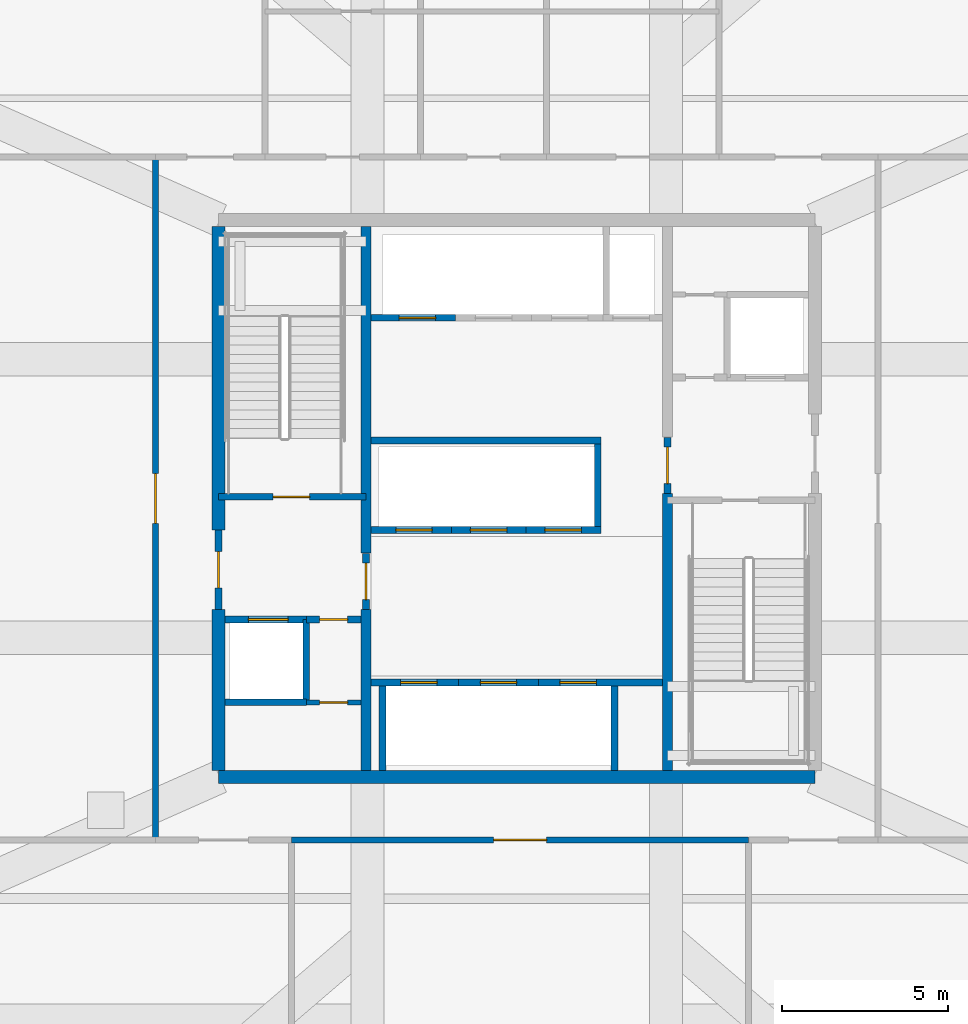
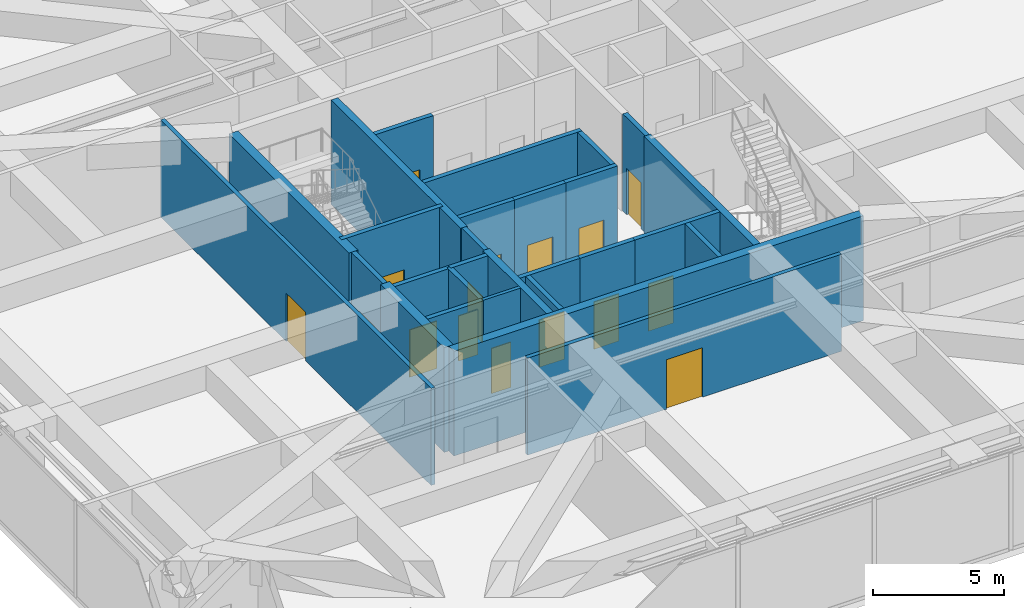
# One storey, part 28 of 35: 28 walls, 16 doors, 16 openings.
"""IFC4 building model written with IfcOpenShell, lengths in metres."""

import ifcopenshell
import ifcopenshell.guid

model = None  # the IFC model being written
_history = None  # IfcOwnerHistory: only IFC2X3 demands one
_inside = {}  # id of a spatial element -> (the spatial element, [elements in it])
_under = {}  # id of a project, library or spatial element -> (it, [spatial elements below it])
_declared = {}  # id of a project -> (the project, [libraries it declares])
_typed = {}  # id of a type object -> (the type object, [elements of that type])
_made_of = {}  # id of a material, layer set ... -> (it, [elements and type objects made of it])


def new_model(schema):
    """Start an empty IFC model of exactly this schema.

    Asked for "IFC4X3", IfcOpenShell would pick the latest addendum, in which some entities
    have other attributes; the version numbers below select the first issue.
    IFC2X3 requires an IfcOwnerHistory on every rooted entity: one is made here for all.
    """
    global model, _history
    if schema == "IFC4X3":
        model = ifcopenshell.file(schema_version=(4, 3, 0, 0))
    else:
        model = ifcopenshell.file(schema=schema)
    _inside.clear()
    _under.clear()
    _declared.clear()
    _typed.clear()
    _made_of.clear()
    _history = None
    if model.schema == "IFC2X3":
        org = make("IfcOrganization", Name="unknown")
        user = make(
            "IfcPersonAndOrganization",
            ThePerson=make("IfcPerson", FamilyName="unknown"),
            TheOrganization=org,
        )
        app = make(
            "IfcApplication",
            ApplicationDeveloper=org,
            Version="unknown",
            ApplicationFullName="unknown",
            ApplicationIdentifier="unknown",
        )
        _history = make(
            "IfcOwnerHistory",
            OwningUser=user,
            OwningApplication=app,
            ChangeAction="ADDED",
            CreationDate=0,
        )
    return model


def make(cls, **values):
    """One entity of the class cls with the attributes given. An attribute that is None is left unset."""
    return model.create_entity(
        cls, **{name: value for name, value in values.items() if value is not None}
    )


def rooted(cls, **values):
    """An entity with a GlobalId (a new one), such as an element, a storey or a relation."""
    return make(cls, GlobalId=ifcopenshell.guid.new(), OwnerHistory=_history, **values)


def si_unit(unit_type, name, prefix=None):
    """IfcSIUnit, for example si_unit("LENGTHUNIT", "METRE", prefix="MILLI")."""
    return make("IfcSIUnit", UnitType=unit_type, Prefix=prefix, Name=name)


def assignment(units):
    """IfcUnitAssignment: the units of a project."""
    return None if units is None else make("IfcUnitAssignment", Units=units)


def point(xyz):
    """IfcCartesianPoint."""
    return None if xyz is None else make("IfcCartesianPoint", Coordinates=xyz)


def direction(xyz):
    """IfcDirection."""
    return None if xyz is None else make("IfcDirection", DirectionRatios=xyz)


def frame(location, z_axis=None, x_axis=None):
    """IfcAxis2Placement3D, a coordinate frame: its origin and axes. An axis left out is left unset."""
    return make(
        "IfcAxis2Placement3D",
        Location=point(location),
        Axis=direction(z_axis),
        RefDirection=direction(x_axis),
    )


def frame_2d(location, x_axis=None):
    """IfcAxis2Placement2D, a coordinate frame in the plane: its origin and x axis."""
    return make(
        "IfcAxis2Placement2D", Location=point(location), RefDirection=direction(x_axis)
    )


def origin():
    """The frame at (0, 0, 0) with its axes left unset."""
    return frame((0.0, 0.0, 0.0))


def place(relative_to, where):
    """IfcLocalPlacement: puts the frame where relative to a parent placement (None: the world)."""
    return make(
        "IfcLocalPlacement", PlacementRelTo=relative_to, RelativePlacement=where
    )


def context(
    kind, dimensions, precision=None, world=None, true_north=None, identifier=None
):
    """IfcGeometricRepresentationContext, for example the 3D "Model" context."""
    return make(
        "IfcGeometricRepresentationContext",
        ContextIdentifier=identifier,
        ContextType=kind,
        CoordinateSpaceDimension=dimensions,
        Precision=precision,
        WorldCoordinateSystem=world,
        TrueNorth=true_north,
    )


def subcontext(parent, identifier, kind, view, scale=None):
    """IfcGeometricRepresentationSubContext, for example "Body" below "Model"."""
    return make(
        "IfcGeometricRepresentationSubContext",
        ContextIdentifier=identifier,
        ContextType=kind,
        ParentContext=parent,
        TargetScale=scale,
        TargetView=view,
    )


def project(units=None, contexts=None):
    """IfcProject with its units and contexts."""
    return rooted(
        "IfcProject",
        Name="project",
        RepresentationContexts=contexts,
        UnitsInContext=assignment(units),
    )


def spatial(cls, under=None, at=None, **own):
    """A site, building, storey or space (cls), placed at a placement, below another one or the project."""
    s = rooted(cls, ObjectPlacement=at, **own)
    if under is not None:
        _under.setdefault(under.id(), (under, []))[1].append(s)
    return s


def profile(cls, at=None, kind="AREA", **sizes):
    """A parametric profile (cls). Its sizes go by their IFC names, for example OverallWidth=200.0."""
    return make(cls, ProfileType=kind, Position=at, **sizes)


def rectangle(**sizes):
    """IfcRectangleProfileDef."""
    return profile("IfcRectangleProfileDef", **sizes)


def extrude(swept, where, along, depth):
    """IfcExtrudedAreaSolid: the profile swept, set in the frame where, extruded along a direction by depth."""
    return make(
        "IfcExtrudedAreaSolid",
        SweptArea=swept,
        Position=where,
        ExtrudedDirection=direction(along),
        Depth=depth,
    )


def shape(context_of_items, identifier, shape_type, items):
    """IfcShapeRepresentation: the items that make up one representation, for example the "Body"."""
    return make(
        "IfcShapeRepresentation",
        ContextOfItems=context_of_items,
        RepresentationIdentifier=identifier,
        RepresentationType=shape_type,
        Items=items,
    )


def source(mapping_origin, context_of_items, identifier, shape_type, items):
    """IfcRepresentationMap: a shape defined once, which mapped items show again and again."""
    return make(
        "IfcRepresentationMap",
        MappingOrigin=mapping_origin,
        MappedRepresentation=shape(context_of_items, identifier, shape_type, items),
    )


def transform(
    local_origin,
    x_axis=None,
    y_axis=None,
    z_axis=None,
    scale=None,
    scale2=None,
    scale3=None,
    uniform=True,
):
    """IfcCartesianTransformationOperator3D, or its non-uniform kind. x_axis, y_axis, z_axis: its Axis1, 2, 3."""
    if uniform:
        return make(
            "IfcCartesianTransformationOperator3D",
            Axis1=direction(x_axis),
            Axis2=direction(y_axis),
            LocalOrigin=point(local_origin),
            Scale=scale,
            Axis3=direction(z_axis),
        )
    return make(
        "IfcCartesianTransformationOperator3DnonUniform",
        Axis1=direction(x_axis),
        Axis2=direction(y_axis),
        LocalOrigin=point(local_origin),
        Scale=scale,
        Axis3=direction(z_axis),
        Scale2=scale2,
        Scale3=scale3,
    )


def mapped(mapping_source, mapping_target):
    """IfcMappedItem: shows the shape of a source again, moved by a transform."""
    return make(
        "IfcMappedItem", MappingSource=mapping_source, MappingTarget=mapping_target
    )


def material(Name=None, Category=None):
    """IfcMaterial."""
    return make("IfcMaterial", Name=Name, Category=Category)


def layer(
    of_material, thickness, ventilated=None, Name=None, Category=None, Priority=None
):
    """IfcMaterialLayer: one layer of a wall or slab, of a material (None: an air gap)."""
    return make(
        "IfcMaterialLayer",
        Material=of_material,
        LayerThickness=thickness,
        IsVentilated=ventilated,
        Name=Name,
        Category=Category,
        Priority=Priority,
    )


def layer_set(layers, Name=None):
    """IfcMaterialLayerSet."""
    return make("IfcMaterialLayerSet", MaterialLayers=layers, LayerSetName=Name)


def made_of(thing, what):
    """Note that an element or type object is made of a material, layer set ...; save() writes the relation."""
    if what is not None:
        _made_of.setdefault(what.id(), (what, []))[1].append(thing)
    return thing


def type_object(cls, material=None, **own):
    """A type object (cls), such as IfcWallType, which elements share."""
    return made_of(rooted(cls, **own), material)


def element(
    cls,
    number,
    at=None,
    inside=None,
    cuts=None,
    type_object=None,
    material=None,
    context=None,
    identifier="Body",
    shape_type=None,
    held_by="IfcProductDefinitionShape",
    body=None,
    shapes=None,
    **own,
):
    """One element of the class cls, such as IfcWall. Its Tag is "e" and its number.

    at: its placement. inside: the storey or other place that contains it. cuts: it is an
    opening in that element (IfcRelVoidsElement). A single representation is given by context,
    identifier, shape_type and body (its items); several are given by shapes. held_by: the class
    of the entity that holds the representations. save() writes the other relations.
    """
    e = rooted(cls, Tag="e%d" % number, ObjectPlacement=at, **own)
    if body is not None:
        shapes = [shape(context, identifier, shape_type, body)]
    if shapes is not None:
        e.Representation = make(held_by, Representations=shapes)
    if inside is not None:
        _inside.setdefault(inside.id(), (inside, []))[1].append(e)
    if cuts is not None:
        rooted(
            "IfcRelVoidsElement", RelatingBuildingElement=cuts, RelatedOpeningElement=e
        )
    if type_object is not None:
        _typed.setdefault(type_object.id(), (type_object, []))[1].append(e)
    return made_of(e, material)


def fill(opening, filler):
    """IfcRelFillsElement: the door or window that sits in an opening."""
    return rooted(
        "IfcRelFillsElement",
        RelatingOpeningElement=opening,
        RelatedBuildingElement=filler,
    )


def aggregate(whole, parts):
    """IfcRelAggregates: a whole, such as a stair, and the parts it consists of."""
    return rooted("IfcRelAggregates", RelatingObject=whole, RelatedObjects=parts)


def save(model, path):
    """Write the relations noted so far, then the file.

    IfcRelAggregates (storeys below a building ...), IfcRelContainedInSpatialStructure (elements
    in a storey), IfcRelDefinesByType, IfcRelAssociatesMaterial and IfcRelDeclares: one each for
    every whole, place, type object, material and project.
    """
    for whole, parts in _under.values():
        aggregate(whole, parts)
    for where, things in _inside.values():
        rooted(
            "IfcRelContainedInSpatialStructure",
            RelatedElements=things,
            RelatingStructure=where,
        )
    for kind, things in _typed.values():
        rooted("IfcRelDefinesByType", RelatedObjects=things, RelatingType=kind)
    for what, things in _made_of.values():
        rooted("IfcRelAssociatesMaterial", RelatedObjects=things, RelatingMaterial=what)
    for by, libraries in _declared.values():
        rooted("IfcRelDeclares", RelatingContext=by, RelatedDefinitions=libraries)
    model.write(path)


model = new_model("IFC4")

# Units and contexts
model_context = context("Model", 3, precision=1e-05, world=origin(), true_north=direction((0.0, 1.0)))
body_context = subcontext(model_context, "Body", "Model", "MODEL_VIEW")
ifc_project = project(units=[si_unit("LENGTHUNIT", "METRE"), si_unit("AREAUNIT", "SQUARE_METRE"), si_unit("VOLUMEUNIT", "CUBIC_METRE"), si_unit("PLANEANGLEUNIT", "RADIAN"), si_unit("MASSUNIT", "GRAM", prefix="KILO")], contexts=[model_context])

# Site, building, storey
site_placement = place(None, origin())
site = spatial("IfcSite", under=ifc_project, at=site_placement, CompositionType="ELEMENT")
building_placement = place(site_placement, origin())
building = spatial("IfcBuilding", under=site, at=building_placement, Name="Serunith Strait Residences", CompositionType="ELEMENT")
storey_placement = place(building_placement, frame((0.0, 0.0, 115.199951171875)))
storey = spatial("IfcBuildingStorey", under=building, at=storey_placement, Name="L28", CompositionType="ELEMENT", Elevation=115.199951171875)

# Wall, opening, door
ifc_material_1 = material(Name="Fire-rated masonry service closet wall", Category="masonry")
ifc_layer_1 = layer(ifc_material_1, 0.14990234375, Name="Fire-rated masonry service closet wall")
ifc_layer_set_1 = layer_set([ifc_layer_1], Name="Fire-rated masonry service closet wall")
wall_type_1 = type_object("IfcWallType", Name="IW-BOH-150", PredefinedType="PARTITIONING", material=ifc_layer_set_1)
wall_1_placement = place(storey_placement, frame((26.052001953125, 19.050048828125, 0.0), z_axis=(0.0, 0.0, 1.0), x_axis=(1.0, 0.0, 0.0)))
wall_1 = element("IfcWall", 1, at=wall_1_placement, inside=storey, type_object=wall_type_1, Name="L28 Partition Wall 012", PredefinedType="PARTITIONING", context=body_context, shape_type="SweptSolid", body=[
    extrude(rectangle(XDim=1.64794921875, YDim=0.14990234375, at=frame_2d((0.823974609375, 0.0))), origin(), (0.0, 0.0, 1.0), 4.510009765625),
])
opening_1_placement = place(wall_1_placement, frame((0.39892578125, 0.0, 0.0)))
opening_1 = element("IfcOpeningElement", 2, at=opening_1_placement, cuts=wall_1, Name="Opening FD-850", PredefinedType="OPENING", context=body_context, shape_type="SweptSolid", body=[
    extrude(rectangle(XDim=0.85009765625, YDim=2.10009765625, at=frame_2d((0.425048828125, 1.050048828125))), frame((0.0, 0.0849609375, 0.0), z_axis=(0.0, -1.0, 0.0), x_axis=(1.0, 0.0, 0.0)), (0.0, 0.0, 1.0), 0.169921875),
])
ifc_material_2 = material(Name="Powder-coated steel service closet door", Category="steel")
door_type_1 = type_object("IfcDoorType", Name="FD-BOH-850", OperationType="NOTDEFINED", PredefinedType="DOOR", material=ifc_material_2)
shared_shape_1 = source(origin(), body_context, "Body", "SweptSolid", [
    extrude(rectangle(XDim=0.85009765625, YDim=2.10009765625, at=frame_2d((0.425048828125, 1.050048828125))), frame((0.0, 0.02490234375, 0.0), z_axis=(0.0, -1.0, 0.0), x_axis=(1.0, 0.0, 0.0)), (0.0, 0.0, 1.0), 0.050048828125),
])
door_1_placement = place(opening_1_placement, origin())
door_1 = element("IfcDoor", 3, at=door_1_placement, inside=storey, type_object=door_type_1, Name="L28 Water Meter Door", OperationType="SINGLE_SWING_RIGHT", OverallHeight=2.10009765625, OverallWidth=0.85009765625, PredefinedType="DOOR", context=body_context, shape_type="MappedRepresentation", body=[
    mapped(shared_shape_1, transform((0.0, 0.0, 0.0), scale=1.0)),
])
fill(opening_1, door_1)

ifc_material_3 = material(Name="Fire-rated acoustic gypsum partition")
ifc_layer_2 = layer(ifc_material_3, 0.179931640625, Name="Fire-rated acoustic gypsum partition")
ifc_layer_set_2 = layer_set([ifc_layer_2], Name="Fire-rated acoustic gypsum partition")
wall_type_2 = type_object("IfcWallType", Name="IW-CORR-180", PredefinedType="PARTITIONING", material=ifc_layer_set_2)
wall_2_placement = place(storey_placement, frame((21.5, 14.89990234375, 0.0), z_axis=(0.0, 0.0, 1.0), x_axis=(0.0, 1.0, 0.0)))
wall_2 = element("IfcWall", 4, at=wall_2_placement, inside=storey, type_object=wall_type_2, Name="L28 Partition Wall 018", PredefinedType="PARTITIONING", context=body_context, shape_type="SweptSolid", body=[
    extrude(rectangle(XDim=20.60009765625, YDim=0.179931640625, at=frame_2d((10.300048828125, 0.0))), origin(), (0.0, 0.0, 1.0), 4.510009765625),
])
opening_2_placement = place(wall_2_placement, frame((9.550048828125, 0.0, 0.0)))
opening_2 = element("IfcOpeningElement", 5, at=opening_2_placement, cuts=wall_2, Name="Opening D-POD1500", PredefinedType="OPENING", context=body_context, shape_type="SweptSolid", body=[
    extrude(rectangle(XDim=1.5, YDim=2.25, at=frame_2d((0.75, 1.125))), frame((0.0, 0.10009765625, 0.0), z_axis=(0.0, -1.0, 0.0), x_axis=(1.0, 0.0, 0.0)), (0.0, 0.0, 1.0), 0.199951171875),
])
ifc_material_4 = material(Name="Pale-champagne aluminium glazed double door", Category="aluminium")
door_type_2 = type_object("IfcDoorType", Name="ID-POD-1500", OperationType="DOUBLE_DOOR_SINGLE_SWING", PredefinedType="DOOR", material=ifc_material_4)
shared_shape_2 = source(origin(), body_context, "Body", "SweptSolid", [
    extrude(rectangle(XDim=1.5, YDim=2.25, at=frame_2d((0.75, 1.125))), frame((0.0, 0.02490234375, 0.0), z_axis=(0.0, -1.0, 0.0), x_axis=(1.0, 0.0, 0.0)), (0.0, 0.0, 1.0), 0.050048828125),
])
door_2_placement = place(opening_2_placement, origin())
door_2 = element("IfcDoor", 6, at=door_2_placement, inside=storey, type_object=door_type_2, Name="L28 West Wing Suite Door", OperationType="DOUBLE_DOOR_SINGLE_SWING", OverallHeight=2.25, OverallWidth=1.5, PredefinedType="DOOR", context=body_context, shape_type="MappedRepresentation", body=[
    mapped(shared_shape_2, transform((0.0, 0.0, 0.0), scale=1.0)),
])
fill(opening_2, door_2)

wall_3_placement = place(storey_placement, frame((25.60205078125, 14.89990234375, 0.0), z_axis=(0.0, 0.0, 1.0), x_axis=(1.0, 0.0, 0.0)))
wall_3 = element("IfcWall", 7, at=wall_3_placement, inside=storey, type_object=wall_type_2, Name="L28 Partition Wall 027", PredefinedType="PARTITIONING", context=body_context, shape_type="SweptSolid", body=[
    extrude(rectangle(XDim=13.7978515625, YDim=0.179931640625, at=frame_2d((6.89892578125, 0.0))), origin(), (0.0, 0.0, 1.0), 4.510009765625),
])
opening_3_placement = place(wall_3_placement, frame((6.09912109375, 0.0, 0.0)))
opening_3 = element("IfcOpeningElement", 8, at=opening_3_placement, cuts=wall_3, Name="Opening D-POD1600", PredefinedType="OPENING", context=body_context, shape_type="SweptSolid", body=[
    extrude(rectangle(XDim=1.60009765625, YDim=2.300048828125, at=frame_2d((0.800048828125, 1.14990234375))), frame((0.0, 0.10009765625, 0.0), z_axis=(0.0, -1.0, 0.0), x_axis=(1.0, 0.0, 0.0)), (0.0, 0.0, 1.0), 0.199951171875),
])
ifc_material_5 = material(Name="Pale-champagne aluminium glazed concourse door", Category="aluminium")
door_type_3 = type_object("IfcDoorType", Name="ID-POD-1600", OperationType="DOUBLE_DOOR_SINGLE_SWING", PredefinedType="DOOR", material=ifc_material_5)
shared_shape_3 = source(origin(), body_context, "Body", "SweptSolid", [
    extrude(rectangle(XDim=1.60009765625, YDim=2.300048828125, at=frame_2d((0.800048828125, 1.14990234375))), frame((0.0, 0.02490234375, 0.0), z_axis=(0.0, -1.0, 0.0), x_axis=(1.0, 0.0, 0.0)), (0.0, 0.0, 1.0), 0.050048828125),
])
door_3_placement = place(opening_3_placement, origin())
door_3 = element("IfcDoor", 9, at=door_3_placement, inside=storey, type_object=door_type_3, Name="L28 South Central Lounge Door", OperationType="DOUBLE_DOOR_SINGLE_SWING", OverallHeight=2.300048828125, OverallWidth=1.60009765625, PredefinedType="DOOR", context=body_context, shape_type="MappedRepresentation", body=[
    mapped(shared_shape_3, transform((0.0, 0.0, 0.0), scale=1.0)),
])
fill(opening_3, door_3)

ifc_material_6 = material(Name="Autoclaved aerated concrete blockwork", Category="masonry")
ifc_layer_3 = layer(ifc_material_6, 0.199951171875, Name="Autoclaved aerated concrete blockwork")
ifc_layer_set_3 = layer_set([ifc_layer_3], Name="Autoclaved aerated concrete blockwork")
wall_type_3 = type_object("IfcWallType", Name="IW-SHAFT-200", PredefinedType="STANDARD", material=ifc_layer_set_3)
wall_4_placement = place(storey_placement, frame((23.39990234375, 25.25, 0.0), z_axis=(0.0, 0.0, 1.0), x_axis=(1.0, 0.0, 0.0)))
wall_4 = element("IfcWall", 10, at=wall_4_placement, inside=storey, type_object=wall_type_3, Name="L28 ST-1 South Shaft Wall", PredefinedType="STANDARD", context=body_context, shape_type="SweptSolid", body=[
    extrude(rectangle(XDim=4.4501953125, YDim=0.199951171875, at=frame_2d((2.22509765625, 0.0))), origin(), (0.0, 0.0, 1.0), 4.510009765625),
])
opening_4_placement = place(wall_4_placement, frame((1.64990234375, 0.0, 0.0)))
opening_4 = element("IfcOpeningElement", 11, at=opening_4_placement, cuts=wall_4, Name="Opening FD-1100", PredefinedType="OPENING", context=body_context, shape_type="SweptSolid", body=[
    extrude(rectangle(XDim=1.10009765625, YDim=2.14990234375, at=frame_2d((0.550048828125, 1.074951171875))), frame((0.0, 0.10986328125, 0.0), z_axis=(0.0, -1.0, 0.0), x_axis=(1.0, 0.0, 0.0)), (0.0, 0.0, 1.0), 0.219970703125),
])
ifc_material_7 = material(Name="Galvanised steel fire door leaf", Category="steel")
door_type_4 = type_object("IfcDoorType", Name="FD-STAIR-1100", OperationType="NOTDEFINED", PredefinedType="DOOR", material=ifc_material_7)
shared_shape_4 = source(origin(), body_context, "Body", "SweptSolid", [
    extrude(rectangle(XDim=1.10009765625, YDim=2.14990234375, at=frame_2d((0.550048828125, 1.074951171875))), frame((0.0, 0.02490234375, 0.0), z_axis=(0.0, -1.0, 0.0), x_axis=(1.0, 0.0, 0.0)), (0.0, 0.0, 1.0), 0.050048828125),
])
door_4_placement = place(opening_4_placement, origin())
door_4 = element("IfcDoor", 12, at=door_4_placement, inside=storey, type_object=door_type_4, Name="L28 ST-1 Escape Stair Door", OperationType="SINGLE_SWING_RIGHT", OverallHeight=2.14990234375, OverallWidth=1.10009765625, PredefinedType="DOOR", context=body_context, shape_type="MappedRepresentation", body=[
    mapped(shared_shape_4, transform((0.0, 0.0, 0.0), scale=1.0)),
])
fill(opening_4, door_4)

wall_5_placement = place(storey_placement, frame((23.60009765625, 21.550048828125, 0.0), z_axis=(0.0, 0.0, 1.0), x_axis=(1.0, 0.0, 0.0)))
wall_5 = element("IfcWall", 13, at=wall_5_placement, inside=storey, type_object=wall_type_3, Name="L28 FL-1 North Shaft Wall", PredefinedType="STANDARD", context=body_context, shape_type="SweptSolid", body=[
    extrude(rectangle(XDim=2.449951171875, YDim=0.199951171875, at=frame_2d((1.22509765625, 0.0))), origin(), (0.0, 0.0, 1.0), 4.510009765625),
])
opening_5_placement = place(wall_5_placement, frame((0.699951171875, 0.0, 0.0)))
opening_5 = element("IfcOpeningElement", 14, at=opening_5_placement, cuts=wall_5, Name="Opening LD-FF1200", PredefinedType="OPENING", context=body_context, shape_type="SweptSolid", body=[
    extrude(rectangle(XDim=1.199951171875, YDim=2.199951171875, at=frame_2d((0.60009765625, 1.10009765625))), frame((0.0, 0.10986328125, 0.0), z_axis=(0.0, -1.0, 0.0), x_axis=(1.0, 0.0, 0.0)), (0.0, 0.0, 1.0), 0.219970703125),
])
ifc_material_8 = material(Name="Brushed stainless steel landing door", Category="steel")
door_type_5 = type_object("IfcDoorType", Name="LD-FF-1200", OperationType="DOUBLE_DOOR_SLIDING", PredefinedType="DOOR", material=ifc_material_8)
shared_shape_5 = source(origin(), body_context, "Body", "SweptSolid", [
    extrude(rectangle(XDim=1.199951171875, YDim=2.199951171875, at=frame_2d((0.60009765625, 1.10009765625))), frame((0.0, 0.02490234375, 0.0), z_axis=(0.0, -1.0, 0.0), x_axis=(1.0, 0.0, 0.0)), (0.0, 0.0, 1.0), 0.050048828125),
])
door_5_placement = place(opening_5_placement, origin())
door_5 = element("IfcDoor", 15, at=door_5_placement, inside=storey, type_object=door_type_5, Name="L28 FL-1 Landing Door", OperationType="DOUBLE_DOOR_SLIDING", OverallHeight=2.199951171875, OverallWidth=1.199951171875, PredefinedType="DOOR", context=body_context, shape_type="MappedRepresentation", body=[
    mapped(shared_shape_5, transform((0.0, 0.0, 0.0), scale=1.0)),
])
fill(opening_5, door_5)

wall_6_placement = place(storey_placement, frame((28.0, 19.64990234375, 0.0), z_axis=(0.0, 0.0, 1.0), x_axis=(1.0, 0.0, 0.0)))
wall_6 = element("IfcWall", 16, at=wall_6_placement, inside=storey, type_object=wall_type_3, Name="L28 PL-1 North Shaft Wall", PredefinedType="STANDARD", context=body_context, shape_type="SweptSolid", body=[
    extrude(rectangle(XDim=2.64990234375, YDim=0.199951171875, at=frame_2d((1.324951171875, 0.0))), origin(), (0.0, 0.0, 1.0), 4.510009765625),
])
opening_6_placement = place(wall_6_placement, frame((0.89990234375, 0.0, 0.0)))
opening_6 = element("IfcOpeningElement", 17, at=opening_6_placement, cuts=wall_6, Name="Opening LD-1100", PredefinedType="OPENING", context=body_context, shape_type="SweptSolid", body=[
    extrude(rectangle(XDim=1.10009765625, YDim=2.199951171875, at=frame_2d((0.550048828125, 1.10009765625))), frame((0.0, 0.10986328125, 0.0), z_axis=(0.0, -1.0, 0.0), x_axis=(1.0, 0.0, 0.0)), (0.0, 0.0, 1.0), 0.219970703125),
])
ifc_material_9 = material(Name="Pale-champagne stainless landing door")
door_type_6 = type_object("IfcDoorType", Name="LD-LIFT-1100", OperationType="DOUBLE_DOOR_SLIDING", PredefinedType="DOOR", material=ifc_material_9)
shared_shape_6 = source(origin(), body_context, "Body", "SweptSolid", [
    extrude(rectangle(XDim=1.10009765625, YDim=2.199951171875, at=frame_2d((0.550048828125, 1.10009765625))), frame((0.0, 0.02490234375, 0.0), z_axis=(0.0, -1.0, 0.0), x_axis=(1.0, 0.0, 0.0)), (0.0, 0.0, 1.0), 0.050048828125),
])
door_6_placement = place(opening_6_placement, origin())
door_6 = element("IfcDoor", 18, at=door_6_placement, inside=storey, type_object=door_type_6, Name="L28 PL-1 Landing Door", OperationType="DOUBLE_DOOR_SLIDING", OverallHeight=2.199951171875, OverallWidth=1.10009765625, PredefinedType="DOOR", context=body_context, shape_type="MappedRepresentation", body=[
    mapped(shared_shape_6, transform((0.0, 0.0, 0.0), scale=1.0)),
])
fill(opening_6, door_6)

# Wall
wall_7_placement = place(storey_placement, frame((28.35009765625, 17.0, 0.0), z_axis=(0.0, 0.0, 1.0), x_axis=(0.0, 1.0, 0.0)))
element("IfcWall", 19, at=wall_7_placement, inside=storey, type_object=wall_type_3, Name="L28 PL-1 West Shaft Wall", PredefinedType="STANDARD", context=body_context, shape_type="SweptSolid", body=[
    extrude(rectangle(XDim=2.550048828125, YDim=0.199951171875, at=frame_2d((1.27490234375, 0.0))), origin(), (0.0, 0.0, 1.0), 4.510009765625),
])

# Wall, opening, door
wall_8_placement = place(storey_placement, frame((30.64990234375, 19.64990234375, 0.0), z_axis=(0.0, 0.0, 1.0), x_axis=(1.0, 0.0, 0.0)))
wall_8 = element("IfcWall", 20, at=wall_8_placement, inside=storey, type_object=wall_type_3, Name="L28 PL-2 North Shaft Wall", PredefinedType="STANDARD", context=body_context, shape_type="SweptSolid", body=[
    extrude(rectangle(XDim=2.400146484375, YDim=0.199951171875, at=frame_2d((1.2001953125, 0.0))), origin(), (0.0, 0.0, 1.0), 4.510009765625),
])
opening_7_placement = place(wall_8_placement, frame((0.64990234375, 0.0, 0.0)))
opening_7 = element("IfcOpeningElement", 21, at=opening_7_placement, cuts=wall_8, Name="Opening LD-1100", PredefinedType="OPENING", context=body_context, shape_type="SweptSolid", body=[
    extrude(rectangle(XDim=1.10009765625, YDim=2.199951171875, at=frame_2d((0.550048828125, 1.10009765625))), frame((0.0, 0.10986328125, 0.0), z_axis=(0.0, -1.0, 0.0), x_axis=(1.0, 0.0, 0.0)), (0.0, 0.0, 1.0), 0.219970703125),
])
door_7_placement = place(opening_7_placement, origin())
door_7 = element("IfcDoor", 22, at=door_7_placement, inside=storey, type_object=door_type_6, Name="L28 PL-2 Landing Door", OperationType="DOUBLE_DOOR_SLIDING", OverallHeight=2.199951171875, OverallWidth=1.10009765625, PredefinedType="DOOR", context=body_context, shape_type="MappedRepresentation", body=[
    mapped(shared_shape_6, transform((0.0, 0.0, 0.0), scale=1.0)),
])
fill(opening_7, door_7)

wall_9_placement = place(storey_placement, frame((33.050048828125, 19.64990234375, 0.0), z_axis=(0.0, 0.0, 1.0), x_axis=(1.0, 0.0, 0.0)))
wall_9 = element("IfcWall", 23, at=wall_9_placement, inside=storey, type_object=wall_type_3, Name="L28 PL-3 North Shaft Wall", PredefinedType="STANDARD", context=body_context, shape_type="SweptSolid", body=[
    extrude(rectangle(XDim=3.75, YDim=0.199951171875, at=frame_2d((1.875, 0.0))), origin(), (0.0, 0.0, 1.0), 4.510009765625),
])
opening_8_placement = place(wall_9_placement, frame((0.64990234375, 0.0, 0.0)))
opening_8 = element("IfcOpeningElement", 24, at=opening_8_placement, cuts=wall_9, Name="Opening LD-1100", PredefinedType="OPENING", context=body_context, shape_type="SweptSolid", body=[
    extrude(rectangle(XDim=1.10009765625, YDim=2.199951171875, at=frame_2d((0.550048828125, 1.10009765625))), frame((0.0, 0.10986328125, 0.0), z_axis=(0.0, -1.0, 0.0), x_axis=(1.0, 0.0, 0.0)), (0.0, 0.0, 1.0), 0.219970703125),
])
door_8_placement = place(opening_8_placement, origin())
door_8 = element("IfcDoor", 25, at=door_8_placement, inside=storey, type_object=door_type_6, Name="L28 PL-3 Landing Door", OperationType="DOUBLE_DOOR_SLIDING", OverallHeight=2.199951171875, OverallWidth=1.10009765625, PredefinedType="DOOR", context=body_context, shape_type="MappedRepresentation", body=[
    mapped(shared_shape_6, transform((0.0, 0.0, 0.0), scale=1.0)),
])
fill(opening_8, door_8)

# Wall
wall_10_placement = place(storey_placement, frame((35.35009765625, 17.0, 0.0), z_axis=(0.0, 0.0, 1.0), x_axis=(0.0, 1.0, 0.0)))
element("IfcWall", 26, at=wall_10_placement, inside=storey, type_object=wall_type_3, Name="L28 PL-3 East Shaft Wall", PredefinedType="STANDARD", context=body_context, shape_type="SweptSolid", body=[
    extrude(rectangle(XDim=2.550048828125, YDim=0.199951171875, at=frame_2d((1.27490234375, 0.0))), origin(), (0.0, 0.0, 1.0), 4.510009765625),
])

# Wall, opening, door
wall_11_placement = place(storey_placement, frame((28.0, 24.25, 0.0), z_axis=(0.0, 0.0, 1.0), x_axis=(1.0, 0.0, 0.0)))
wall_11 = element("IfcWall", 27, at=wall_11_placement, inside=storey, type_object=wall_type_3, Name="L28 PL-4 South Shaft Wall", PredefinedType="STANDARD", context=body_context, shape_type="SweptSolid", body=[
    extrude(rectangle(XDim=2.425048828125, YDim=0.199951171875, at=frame_2d((1.21240234375, 0.0))), origin(), (0.0, 0.0, 1.0), 4.510009765625),
])
opening_9_placement = place(wall_11_placement, frame((0.75, 0.0, 0.0)))
opening_9 = element("IfcOpeningElement", 28, at=opening_9_placement, cuts=wall_11, Name="Opening LD-1100", PredefinedType="OPENING", context=body_context, shape_type="SweptSolid", body=[
    extrude(rectangle(XDim=1.10009765625, YDim=2.199951171875, at=frame_2d((0.550048828125, 1.10009765625))), frame((0.0, 0.10986328125, 0.0), z_axis=(0.0, -1.0, 0.0), x_axis=(1.0, 0.0, 0.0)), (0.0, 0.0, 1.0), 0.219970703125),
])
door_9_placement = place(opening_9_placement, origin())
door_9 = element("IfcDoor", 29, at=door_9_placement, inside=storey, type_object=door_type_6, Name="L28 PL-4 Landing Door", OperationType="DOUBLE_DOOR_SLIDING", OverallHeight=2.199951171875, OverallWidth=1.10009765625, PredefinedType="DOOR", context=body_context, shape_type="MappedRepresentation", body=[
    mapped(shared_shape_6, transform((0.0, 0.0, 0.0), scale=1.0)),
])
fill(opening_9, door_9)

wall_12_placement = place(storey_placement, frame((30.425048828125, 24.25, 0.0), z_axis=(0.0, 0.0, 1.0), x_axis=(1.0, 0.0, 0.0)))
wall_12 = element("IfcWall", 30, at=wall_12_placement, inside=storey, type_object=wall_type_3, Name="L28 PL-5 South Shaft Wall", PredefinedType="STANDARD", context=body_context, shape_type="SweptSolid", body=[
    extrude(rectangle(XDim=2.25, YDim=0.199951171875, at=frame_2d((1.125, 0.0))), origin(), (0.0, 0.0, 1.0), 4.510009765625),
])
opening_10_placement = place(wall_12_placement, frame((0.574951171875, 0.0, 0.0)))
opening_10 = element("IfcOpeningElement", 31, at=opening_10_placement, cuts=wall_12, Name="Opening LD-1100", PredefinedType="OPENING", context=body_context, shape_type="SweptSolid", body=[
    extrude(rectangle(XDim=1.10009765625, YDim=2.199951171875, at=frame_2d((0.550048828125, 1.10009765625))), frame((0.0, 0.10986328125, 0.0), z_axis=(0.0, -1.0, 0.0), x_axis=(1.0, 0.0, 0.0)), (0.0, 0.0, 1.0), 0.219970703125),
])
door_10_placement = place(opening_10_placement, origin())
door_10 = element("IfcDoor", 32, at=door_10_placement, inside=storey, type_object=door_type_6, Name="L28 PL-5 Landing Door", OperationType="DOUBLE_DOOR_SLIDING", OverallHeight=2.199951171875, OverallWidth=1.10009765625, PredefinedType="DOOR", context=body_context, shape_type="MappedRepresentation", body=[
    mapped(shared_shape_6, transform((0.0, 0.0, 0.0), scale=1.0)),
])
fill(opening_10, door_10)

wall_13_placement = place(storey_placement, frame((32.675048828125, 24.25, 0.0), z_axis=(0.0, 0.0, 1.0), x_axis=(1.0, 0.0, 0.0)))
wall_13 = element("IfcWall", 33, at=wall_13_placement, inside=storey, type_object=wall_type_3, Name="L28 PL-6 South Shaft Wall", PredefinedType="STANDARD", context=body_context, shape_type="SweptSolid", body=[
    extrude(rectangle(XDim=2.27490234375, YDim=0.199951171875, at=frame_2d((1.137451171875, 0.0))), origin(), (0.0, 0.0, 1.0), 4.510009765625),
])
opening_11_placement = place(wall_13_placement, frame((0.574951171875, 0.0, 0.0)))
opening_11 = element("IfcOpeningElement", 34, at=opening_11_placement, cuts=wall_13, Name="Opening LD-1100", PredefinedType="OPENING", context=body_context, shape_type="SweptSolid", body=[
    extrude(rectangle(XDim=1.10009765625, YDim=2.199951171875, at=frame_2d((0.550048828125, 1.10009765625))), frame((0.0, 0.10986328125, 0.0), z_axis=(0.0, -1.0, 0.0), x_axis=(1.0, 0.0, 0.0)), (0.0, 0.0, 1.0), 0.219970703125),
])
door_11_placement = place(opening_11_placement, origin())
door_11 = element("IfcDoor", 35, at=door_11_placement, inside=storey, type_object=door_type_6, Name="L28 PL-6 Landing Door", OperationType="DOUBLE_DOOR_SLIDING", OverallHeight=2.199951171875, OverallWidth=1.10009765625, PredefinedType="DOOR", context=body_context, shape_type="MappedRepresentation", body=[
    mapped(shared_shape_6, transform((0.0, 0.0, 0.0), scale=1.0)),
])
fill(opening_11, door_11)

# Wall
wall_14_placement = place(storey_placement, frame((34.85009765625, 24.35009765625, 0.0), z_axis=(0.0, 0.0, 1.0), x_axis=(0.0, 1.0, 0.0)))
element("IfcWall", 36, at=wall_14_placement, inside=storey, type_object=wall_type_3, Name="L28 PL-6 East Shaft Wall", PredefinedType="STANDARD", context=body_context, shape_type="SweptSolid", body=[
    extrude(rectangle(XDim=2.5, YDim=0.199951171875, at=frame_2d((1.25, 0.0))), origin(), (0.0, 0.0, 1.0), 4.510009765625),
])

# Wall, opening, door
wall_15_placement = place(storey_placement, frame((28.0, 30.64990234375, 0.0), z_axis=(0.0, 0.0, 1.0), x_axis=(1.0, 0.0, 0.0)))
wall_15 = element("IfcWall", 37, at=wall_15_placement, inside=storey, type_object=wall_type_3, Name="L28 PL-7 South Shaft Wall", PredefinedType="STANDARD", context=body_context, shape_type="SweptSolid", body=[
    extrude(rectangle(XDim=2.550048828125, YDim=0.199951171875, at=frame_2d((1.27490234375, 0.0))), origin(), (0.0, 0.0, 1.0), 4.510009765625),
])
opening_12_placement = place(wall_15_placement, frame((0.85009765625, 0.0, 0.0)))
opening_12 = element("IfcOpeningElement", 38, at=opening_12_placement, cuts=wall_15, Name="Opening LD-1100", PredefinedType="OPENING", context=body_context, shape_type="SweptSolid", body=[
    extrude(rectangle(XDim=1.10009765625, YDim=2.199951171875, at=frame_2d((0.550048828125, 1.10009765625))), frame((0.0, 0.10986328125, 0.0), z_axis=(0.0, -1.0, 0.0), x_axis=(1.0, 0.0, 0.0)), (0.0, 0.0, 1.0), 0.219970703125),
])
door_12_placement = place(opening_12_placement, origin())
door_12 = element("IfcDoor", 39, at=door_12_placement, inside=storey, type_object=door_type_6, Name="L28 PL-7 Landing Door", OperationType="DOUBLE_DOOR_SLIDING", OverallHeight=2.199951171875, OverallWidth=1.10009765625, PredefinedType="DOOR", context=body_context, shape_type="MappedRepresentation", body=[
    mapped(shared_shape_6, transform((0.0, 0.0, 0.0), scale=1.0)),
])
fill(opening_12, door_12)

# Walls
wall_16_placement = place(storey_placement, frame((26.050048828125, 19.050048828125, 0.0), z_axis=(0.0, 0.0, 1.0), x_axis=(0.0, 1.0, 0.0)))
element("IfcWall", 40, at=wall_16_placement, inside=storey, type_object=wall_type_3, Name="L28 Partition Wall 001", PredefinedType="STANDARD", context=body_context, shape_type="SweptSolid", body=[
    extrude(rectangle(XDim=2.5, YDim=0.199951171875, at=frame_2d((1.25, 0.0))), origin(), (0.0, 0.0, 1.0), 4.510009765625),
])
wall_17_placement = place(storey_placement, frame((23.60009765625, 19.050048828125, 0.0), z_axis=(0.0, 0.0, 1.0), x_axis=(1.0, 0.0, 0.0)))
element("IfcWall", 41, at=wall_17_placement, inside=storey, type_object=wall_type_3, Name="L28 Partition Wall 002", PredefinedType="STANDARD", context=body_context, shape_type="SweptSolid", body=[
    extrude(rectangle(XDim=2.449951171875, YDim=0.199951171875, at=frame_2d((1.22509765625, 0.0))), origin(), (0.0, 0.0, 1.0), 4.510009765625),
])

# Wall, opening, door
wall_18_placement = place(storey_placement, frame((26.052001953125, 21.550048828125, 0.0), z_axis=(0.0, 0.0, 1.0), x_axis=(1.0, 0.0, 0.0)))
wall_18 = element("IfcWall", 42, at=wall_18_placement, inside=storey, type_object=wall_type_3, Name="L28 Partition Wall 003", PredefinedType="STANDARD", context=body_context, shape_type="SweptSolid", body=[
    extrude(rectangle(XDim=1.64794921875, YDim=0.199951171875, at=frame_2d((0.823974609375, 0.0))), origin(), (0.0, 0.0, 1.0), 4.510009765625),
])
opening_13_placement = place(wall_18_placement, frame((0.39892578125, 0.0, 0.0)))
opening_13 = element("IfcOpeningElement", 43, at=opening_13_placement, cuts=wall_18, Name="Opening FD-850", PredefinedType="OPENING", context=body_context, shape_type="SweptSolid", body=[
    extrude(rectangle(XDim=0.85009765625, YDim=2.10009765625, at=frame_2d((0.425048828125, 1.050048828125))), frame((0.0, 0.10986328125, 0.0), z_axis=(0.0, -1.0, 0.0), x_axis=(1.0, 0.0, 0.0)), (0.0, 0.0, 1.0), 0.219970703125),
])
door_13_placement = place(opening_13_placement, origin())
door_13 = element("IfcDoor", 44, at=door_13_placement, inside=storey, type_object=door_type_1, Name="L28 South-West Core Service Door", OperationType="SINGLE_SWING_RIGHT", OverallHeight=2.10009765625, OverallWidth=0.85009765625, PredefinedType="DOOR", context=body_context, shape_type="MappedRepresentation", body=[
    mapped(shared_shape_1, transform((0.0, 0.0, 0.0), scale=1.0)),
])
fill(opening_13, door_13)

wall_19_placement = place(storey_placement, frame((23.39990234375, 21.85205078125, 0.0), z_axis=(0.0, 0.0, 1.0), x_axis=(0.0, 1.0, 0.0)))
wall_19 = element("IfcWall", 45, at=wall_19_placement, inside=storey, type_object=wall_type_3, Name="L28 Partition Wall 007", PredefinedType="STANDARD", context=body_context, shape_type="SweptSolid", body=[
    extrude(rectangle(XDim=2.39599609375, YDim=0.199951171875, at=frame_2d((1.197998046875, 0.0))), origin(), (0.0, 0.0, 1.0), 4.510009765625),
])
opening_14_placement = place(wall_19_placement, frame((0.64794921875, 0.0, 0.0)))
opening_14 = element("IfcOpeningElement", 46, at=opening_14_placement, cuts=wall_19, Name="Opening FD-FFL", PredefinedType="OPENING", context=body_context, shape_type="SweptSolid", body=[
    extrude(rectangle(XDim=1.10009765625, YDim=2.14990234375, at=frame_2d((0.550048828125, 1.074951171875))), frame((0.0, 0.10986328125, 0.0), z_axis=(0.0, -1.0, 0.0), x_axis=(1.0, 0.0, 0.0)), (0.0, 0.0, 1.0), 0.219970703125),
])
ifc_material_10 = material(Name="Glazed steel smoke-lobby fire door", Category="steel")
door_type_7 = type_object("IfcDoorType", Name="FD-FFL-1100", OperationType="NOTDEFINED", PredefinedType="DOOR", material=ifc_material_10)
door_14_placement = place(opening_14_placement, origin())
door_14 = element("IfcDoor", 47, at=door_14_placement, inside=storey, type_object=door_type_7, Name="L28 FFL-1 Corridor Fire Door", OperationType="SINGLE_SWING_RIGHT", OverallHeight=2.14990234375, OverallWidth=1.10009765625, PredefinedType="DOOR", context=body_context, shape_type="MappedRepresentation", body=[
    mapped(shared_shape_4, transform((0.0, 0.0, 0.0), scale=1.0)),
])
fill(opening_14, door_14)

wall_20_placement = place(storey_placement, frame((27.85009765625, 21.85205078125, 0.0), z_axis=(0.0, 0.0, 1.0), x_axis=(0.0, 1.0, 0.0)))
wall_20 = element("IfcWall", 48, at=wall_20_placement, inside=storey, type_object=wall_type_3, Name="L28 Partition Wall 009", PredefinedType="STANDARD", context=body_context, shape_type="SweptSolid", body=[
    extrude(rectangle(XDim=1.696044921875, YDim=0.199951171875, at=frame_2d((0.84814453125, 0.0))), origin(), (0.0, 0.0, 1.0), 4.510009765625),
])
opening_15_placement = place(wall_20_placement, frame((0.298095703125, 0.0, 0.0)))
opening_15 = element("IfcOpeningElement", 49, at=opening_15_placement, cuts=wall_20, Name="Opening FD-FFL", PredefinedType="OPENING", context=body_context, shape_type="SweptSolid", body=[
    extrude(rectangle(XDim=1.10009765625, YDim=2.14990234375, at=frame_2d((0.550048828125, 1.074951171875))), frame((0.0, 0.10986328125, 0.0), z_axis=(0.0, -1.0, 0.0), x_axis=(1.0, 0.0, 0.0)), (0.0, 0.0, 1.0), 0.219970703125),
])
door_15_placement = place(opening_15_placement, origin())
door_15 = element("IfcDoor", 50, at=door_15_placement, inside=storey, type_object=door_type_7, Name="L28 FFL-1 Lift Lobby Door", OperationType="SINGLE_SWING_RIGHT", OverallHeight=2.14990234375, OverallWidth=1.10009765625, PredefinedType="DOOR", context=body_context, shape_type="MappedRepresentation", body=[
    mapped(shared_shape_4, transform((0.0, 0.0, 0.0), scale=1.0)),
])
fill(opening_15, door_15)

wall_21_placement = place(storey_placement, frame((36.949951171875, 25.35205078125, 0.0), z_axis=(0.0, 0.0, 1.0), x_axis=(0.0, 1.0, 0.0)))
wall_21 = element("IfcWall", 51, at=wall_21_placement, inside=storey, type_object=wall_type_3, Name="L28 Partition Wall 010", PredefinedType="STANDARD", context=body_context, shape_type="SweptSolid", body=[
    extrude(rectangle(XDim=1.696044921875, YDim=0.199951171875, at=frame_2d((0.84814453125, 0.0))), origin(), (0.0, 0.0, 1.0), 4.510009765625),
])
opening_16_placement = place(wall_21_placement, frame((0.298095703125, 0.0, 0.0)))
opening_16 = element("IfcOpeningElement", 52, at=opening_16_placement, cuts=wall_21, Name="Opening FD-FFL", PredefinedType="OPENING", context=body_context, shape_type="SweptSolid", body=[
    extrude(rectangle(XDim=1.10009765625, YDim=2.14990234375, at=frame_2d((0.550048828125, 1.074951171875))), frame((0.0, 0.10986328125, 0.0), z_axis=(0.0, -1.0, 0.0), x_axis=(1.0, 0.0, 0.0)), (0.0, 0.0, 1.0), 0.219970703125),
])
door_16_placement = place(opening_16_placement, origin())
door_16 = element("IfcDoor", 53, at=door_16_placement, inside=storey, type_object=door_type_7, Name="L28 FFL-2 Lift Lobby Door", OperationType="SINGLE_SWING_LEFT", OverallHeight=2.14990234375, OverallWidth=1.10009765625, PredefinedType="DOOR", context=body_context, shape_type="MappedRepresentation", body=[
    mapped(shared_shape_4, transform((0.0, 0.0, 0.0), scale=1.0)),
])
fill(opening_16, door_16)

# Walls
wall_22_placement = place(storey_placement, frame((28.0, 26.949951171875, 0.0), z_axis=(0.0, 0.0, 1.0), x_axis=(1.0, 0.0, 0.0)))
element("IfcWall", 54, at=wall_22_placement, inside=storey, type_object=wall_type_3, Name="L28 Partition Wall 011", PredefinedType="STANDARD", context=body_context, shape_type="SweptSolid", body=[
    extrude(rectangle(XDim=6.949951171875, YDim=0.199951171875, at=frame_2d((3.47509765625, 0.0))), origin(), (0.0, 0.0, 1.0), 4.510009765625),
])
ifc_material_11 = material(Name="Concrete C70/85", Category="concrete")
ifc_layer_4 = layer(ifc_material_11, 0.300048828125, Name="Concrete C70/85")
ifc_layer_set_4 = layer_set([ifc_layer_4], Name="Concrete C70/85")
wall_type_4 = type_object("IfcWallType", Name="SW-300-C70", PredefinedType="SHEAR", material=ifc_layer_set_4)
wall_23_placement = place(storey_placement, frame((27.85009765625, 17.0, -0.35986328125), z_axis=(0.0, 0.0, 1.0), x_axis=(0.0, 1.0, 0.0)))
element("IfcWall", 55, at=wall_23_placement, inside=storey, type_object=wall_type_4, Name="L28 Core Internal West Web South Pier", PredefinedType="SHEAR", context=body_context, shape_type="SweptSolid", body=[
    extrude(rectangle(XDim=4.85009765625, YDim=0.300048828125, at=frame_2d((2.425048828125, 0.0))), origin(), (0.0, 0.0, 1.0), 4.867919921875),
])
wall_24_placement = place(storey_placement, frame((27.85009765625, 23.550048828125, -0.35986328125), z_axis=(0.0, 0.0, 1.0), x_axis=(0.0, 1.0, 0.0)))
element("IfcWall", 56, at=wall_24_placement, inside=storey, type_object=wall_type_4, Name="L28 Core Internal West Web North Pier", PredefinedType="SHEAR", context=body_context, shape_type="SweptSolid", body=[
    extrude(rectangle(XDim=9.849853515625, YDim=0.300048828125, at=frame_2d((4.9248046875, 0.0))), origin(), (0.0, 0.0, 1.0), 4.867919921875),
])
wall_25_placement = place(storey_placement, frame((36.949951171875, 17.0, -0.35986328125), z_axis=(0.0, 0.0, 1.0), x_axis=(0.0, 1.0, 0.0)))
element("IfcWall", 57, at=wall_25_placement, inside=storey, type_object=wall_type_4, Name="L28 Core Internal East Web South Pier", PredefinedType="SHEAR", context=body_context, shape_type="SweptSolid", body=[
    extrude(rectangle(XDim=8.35009765625, YDim=0.300048828125, at=frame_2d((4.175048828125, 0.0))), origin(), (0.0, 0.0, 1.0), 4.867919921875),
])
ifc_layer_5 = layer(ifc_material_11, 0.39990234375, Name="Concrete C70/85")
ifc_layer_set_5 = layer_set([ifc_layer_5], Name="Concrete C70/85")
wall_type_5 = type_object("IfcWallType", Name="SW-400-C70", PredefinedType="SHEAR", material=ifc_layer_set_5)
wall_26_placement = place(storey_placement, frame((23.39990234375, 16.800048828125, -0.35986328125), z_axis=(0.0, 0.0, 1.0), x_axis=(1.0, 0.0, 0.0)))
element("IfcWall", 58, at=wall_26_placement, inside=storey, type_object=wall_type_5, Name="L28 Core South Shear Wall", PredefinedType="SHEAR", context=body_context, shape_type="SweptSolid", body=[
    extrude(rectangle(XDim=18.0, YDim=0.39990234375, at=frame_2d((9.0, 0.0))), origin(), (0.0, 0.0, 1.0), 4.867919921875),
])
wall_27_placement = place(storey_placement, frame((23.39990234375, 17.0, -0.35986328125), z_axis=(0.0, 0.0, 1.0), x_axis=(0.0, 1.0, 0.0)))
element("IfcWall", 59, at=wall_27_placement, inside=storey, type_object=wall_type_5, Name="L28 Core West Shear Wall South Pier", PredefinedType="SHEAR", context=body_context, shape_type="SweptSolid", body=[
    extrude(rectangle(XDim=4.85009765625, YDim=0.39990234375, at=frame_2d((2.425048828125, 0.0))), origin(), (0.0, 0.0, 1.0), 4.867919921875),
])
wall_28_placement = place(storey_placement, frame((23.39990234375, 24.25, -0.35986328125), z_axis=(0.0, 0.0, 1.0), x_axis=(0.0, 1.0, 0.0)))
element("IfcWall", 60, at=wall_28_placement, inside=storey, type_object=wall_type_5, Name="L28 Core West Shear Wall North Pier", PredefinedType="SHEAR", context=body_context, shape_type="SweptSolid", body=[
    extrude(rectangle(XDim=9.14990234375, YDim=0.39990234375, at=frame_2d((4.574951171875, 0.0))), origin(), (0.0, 0.0, 1.0), 4.867919921875),
])

save(model, "model.ifc")
